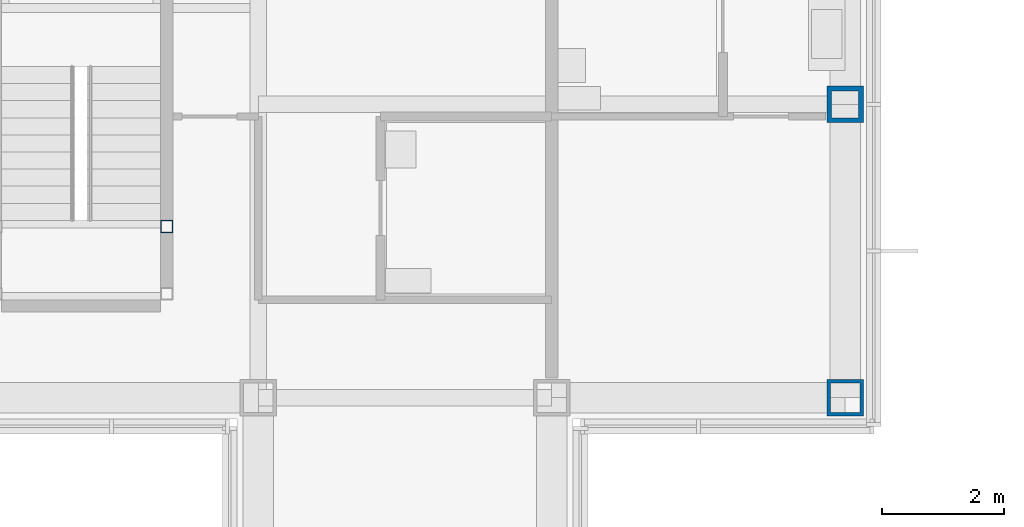
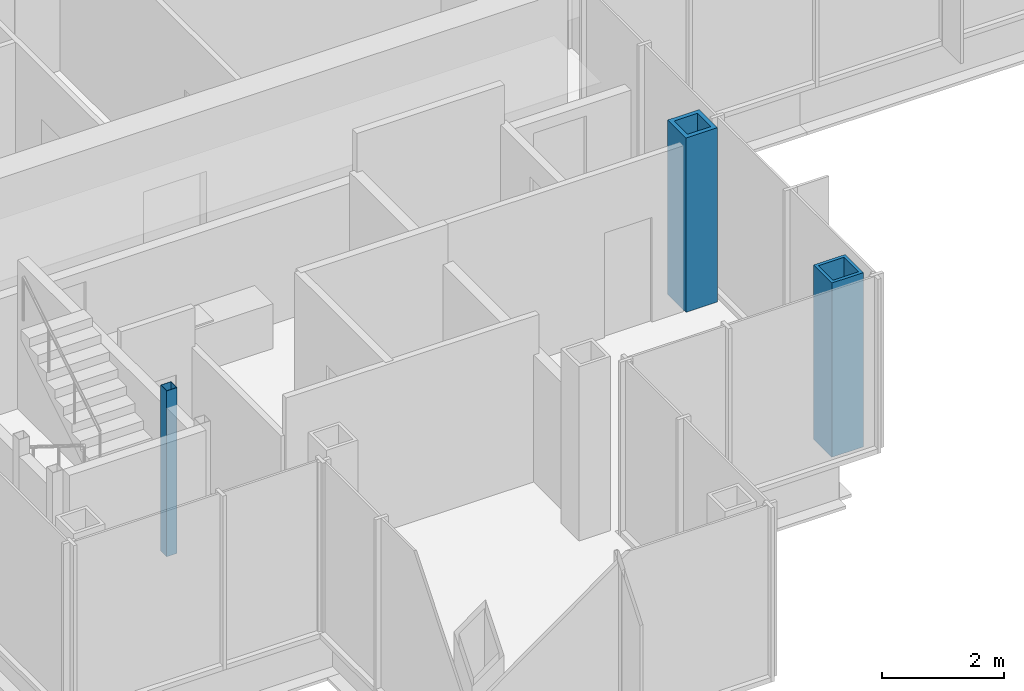
# One storey, part 2 of 17: 3 columns.
"""IFC4 building model written with IfcOpenShell, lengths in metres."""

from ifc_helpers import new_model, si_unit, direction, frame, origin, origin_2d, place, context, subcontext, project, spatial, hollow_rectangle, extrude, material, material_profile, profile_set, type_object, element, save


model = new_model("IFC4")

# Units and contexts
model_context = context("Model", 3, precision=1e-05, world=origin(), true_north=direction((0.0, 1.0)))
body_context = subcontext(model_context, "Body", "Model", "MODEL_VIEW")
ifc_project = project(units=[si_unit("LENGTHUNIT", "METRE"), si_unit("AREAUNIT", "SQUARE_METRE"), si_unit("VOLUMEUNIT", "CUBIC_METRE"), si_unit("PLANEANGLEUNIT", "RADIAN"), si_unit("MASSUNIT", "GRAM", prefix="KILO")], contexts=[model_context])

# Site, building, storey
site_placement = place(None, origin())
site = spatial("IfcSite", under=ifc_project, at=site_placement, CompositionType="ELEMENT")
building_placement = place(site_placement, origin())
building = spatial("IfcBuilding", under=site, at=building_placement, Name="Kvirike Care Tower", CompositionType="ELEMENT")
storey_placement = place(building_placement, frame((0.0, 0.0, 155.0)))
storey = spatial("IfcBuildingStorey", under=building, at=storey_placement, Name="L42", CompositionType="ELEMENT", Elevation=155.0)

# Columns
ifc_material_1 = material(Name="Steel S460", Category="steel")
ifc_material_profile_1 = material_profile(ifc_material_1, hollow_rectangle(XDim=0.60009765625, YDim=0.60009765625, WallThickness=0.06005859375, at=origin_2d()), Name="BX 600x600x60")
ifc_profile_set_1 = profile_set([ifc_material_profile_1], Name="Steel S460")
column_type_1 = type_object("IfcColumnType", Name="COLUMN BX 600x600x60", PredefinedType="COLUMN", material=ifc_profile_set_1)
column_1_placement = place(storey_placement, frame((28.800048828125, 19.199951171875, 0.0), z_axis=(0.0, 0.0, 1.0), x_axis=(0.0, 1.0, 0.0)))
element("IfcColumn", 1, at=column_1_placement, inside=storey, type_object=column_type_1, Name="Column E9 L42", PredefinedType="COLUMN", context=body_context, shape_type="SweptSolid", body=[
    extrude(hollow_rectangle(XDim=0.60009765625, YDim=0.60009765625, WallThickness=0.06005859375, at=origin_2d()), origin(), (0.0, 0.0, 1.0), 3.5),
])
ifc_material_2 = material(Name="Steel S460", Category="steel")
ifc_material_profile_2 = material_profile(ifc_material_2, hollow_rectangle(XDim=0.60009765625, YDim=0.60009765625, WallThickness=0.080078125, at=origin_2d()), Name="BX 600x600x80")
ifc_profile_set_2 = profile_set([ifc_material_profile_2], Name="Steel S460")
column_type_2 = type_object("IfcColumnType", Name="COLUMN BX 600x600x80", PredefinedType="COLUMN", material=ifc_profile_set_2)
column_2_placement = place(storey_placement, frame((28.800048828125, 24.0, 0.0), z_axis=(0.0, 0.0, 1.0), x_axis=(1.0, 0.0, 0.0)))
element("IfcColumn", 2, at=column_2_placement, inside=storey, type_object=column_type_2, Name="Column F9 L42", PredefinedType="COLUMN", context=body_context, shape_type="SweptSolid", body=[
    extrude(hollow_rectangle(XDim=0.60009765625, YDim=0.60009765625, WallThickness=0.080078125, at=origin_2d()), origin(), (0.0, 0.0, 1.0), 3.5),
])
ifc_material_3 = material(Name="Steel S460", Category="steel")
ifc_material_profile_3 = material_profile(ifc_material_3, hollow_rectangle(XDim=0.199951171875, YDim=0.199951171875, WallThickness=0.008056640625, at=origin_2d()), Name="SHS 200x200x8")
ifc_profile_set_3 = profile_set([ifc_material_profile_3], Name="Steel S460")
column_type_3 = type_object("IfcColumnType", Name="STAIR POST SHS 200x200x8", PredefinedType="COLUMN", material=ifc_profile_set_3)
column_3_placement = place(storey_placement, frame((17.699951171875, 22.0, 0.0), z_axis=(0.0, 0.0, 1.0), x_axis=(1.0, 0.0, 0.0)))
element("IfcColumn", 3, at=column_3_placement, inside=storey, type_object=column_type_3, Name="Stair 5 post 4 L42", PredefinedType="COLUMN", context=body_context, shape_type="SweptSolid", body=[
    extrude(hollow_rectangle(XDim=0.199951171875, YDim=0.199951171875, WallThickness=0.008056640625, at=origin_2d()), origin(), (0.0, 0.0, 1.0), 3.330078125),
])

save(model, "model.ifc")
